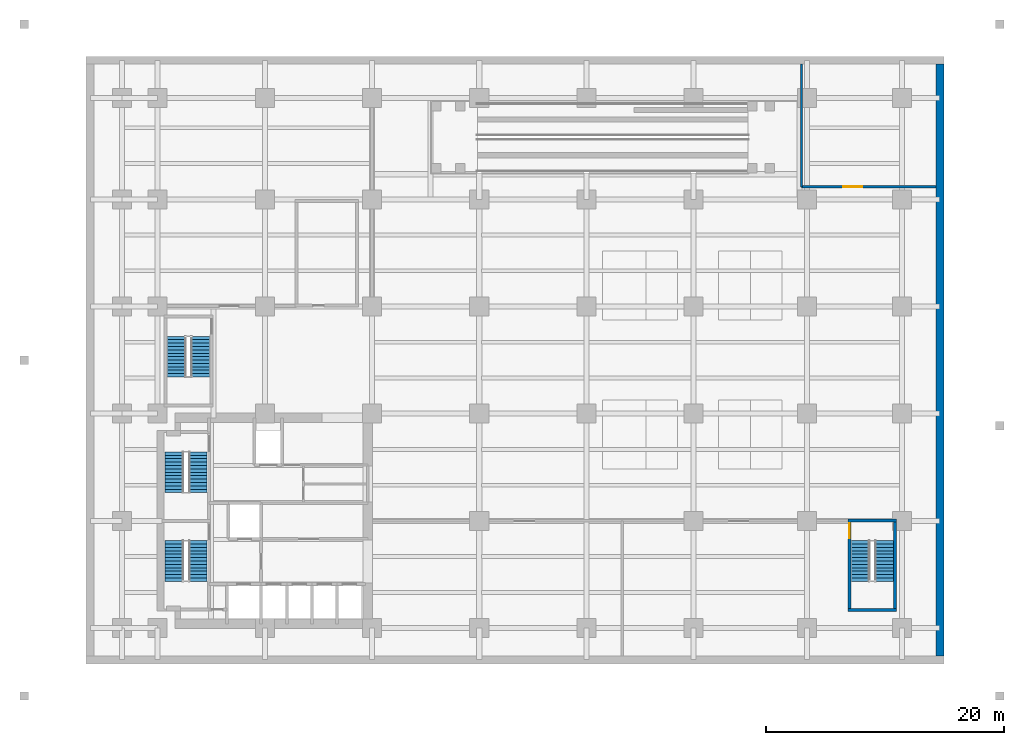
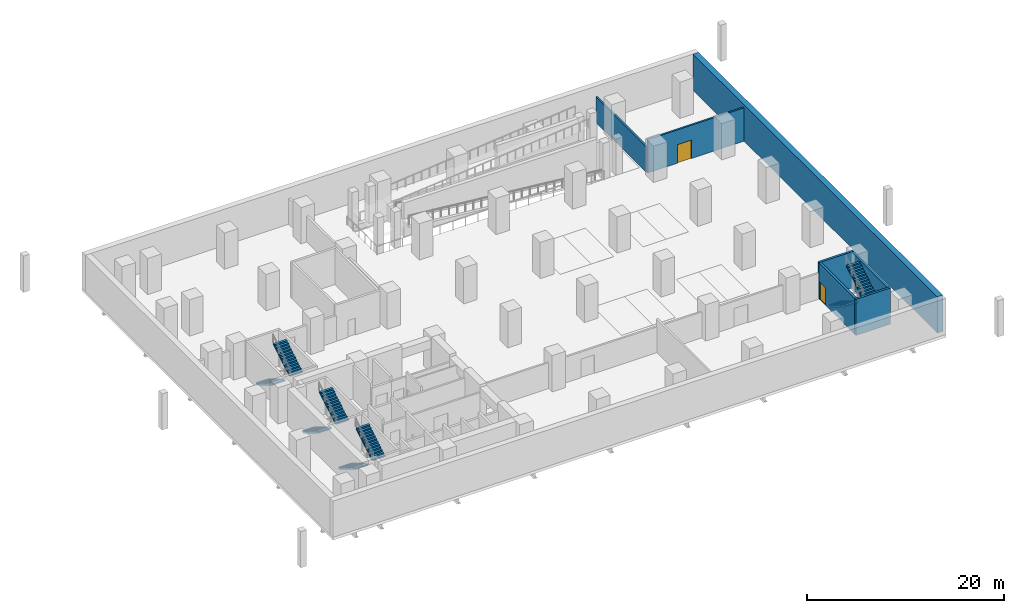
# One storey, part 8 of 10: 8 stair flights, 7 walls, 2 doors, 2 openings, 4 elements without a shape of their own.
"""IFC4 building model written with IfcOpenShell, lengths in metres."""

from ifc_helpers import new_model, si_unit, direction, frame, frame_2d, origin, place, context, subcontext, project, spatial, polyline, rectangle, outline, extrude, material, layer, layer_set, type_object, element, fill, aggregate, save


model = new_model("IFC4")

# Units and contexts
model_context = context("Model", 3, precision=1e-05, world=origin(), true_north=direction((0.0, 1.0)))
body_context = subcontext(model_context, "Body", "Model", "MODEL_VIEW")
ifc_project = project(units=[si_unit("LENGTHUNIT", "METRE"), si_unit("AREAUNIT", "SQUARE_METRE"), si_unit("VOLUMEUNIT", "CUBIC_METRE"), si_unit("PLANEANGLEUNIT", "RADIAN"), si_unit("MASSUNIT", "GRAM", prefix="KILO")], contexts=[model_context])

# Site, building, storey
site_placement = place(None, origin())
site = spatial("IfcSite", under=ifc_project, at=site_placement, CompositionType="ELEMENT")
building_placement = place(site_placement, origin())
building = spatial("IfcBuilding", under=site, at=building_placement, Name="Mawjdan Bourse Tower", CompositionType="ELEMENT")
storey_placement = place(building_placement, frame((0.0, 0.0, -9.0)))
storey = spatial("IfcBuildingStorey", under=building, at=storey_placement, Name="B02", CompositionType="ELEMENT", Elevation=-9.0)

# Wall, opening, door
ifc_material_1 = material(Name="Gypsum Fireboard Assembly")
ifc_layer_1 = layer(ifc_material_1, 0.199951171875)
ifc_layer_set_1 = layer_set([ifc_layer_1], Name="Gypsum Fireboard Assembly")
wall_type_1 = type_object("IfcWallType", Name="WL-CMP-200", PredefinedType="PARTITIONING", material=ifc_layer_set_1)
wall_1_placement = place(storey_placement, frame((60.050048828125, 40.050048828125, 0.0), z_axis=(0.0, 0.0, 1.0), x_axis=(1.0, 0.0, 0.0)))
wall_1 = element("IfcWall", 1, at=wall_1_placement, inside=storey, type_object=wall_type_1, Name="B02 Smoke Fan South Wall", PredefinedType="PARTITIONING", context=body_context, shape_type="SweptSolid", body=[
    extrude(rectangle(XDim=11.300048828125, YDim=0.199951171875, at=frame_2d((5.64990234375, 0.0))), origin(), (0.0, 0.0, 1.0), 4.139892578125),
])
opening_1_placement = place(wall_1_placement, frame((3.5, 0.0, 0.0)))
opening_1 = element("IfcOpeningElement", 2, at=opening_1_placement, cuts=wall_1, Name="Opening PD-B02-24", PredefinedType="OPENING", context=body_context, shape_type="SweptSolid", body=[
    extrude(rectangle(XDim=1.60009765625, YDim=2.300048828125, at=frame_2d((0.800048828125, 1.14990234375))), frame((0.0, 0.10986328125, 0.0), z_axis=(0.0, -1.0, 0.0), x_axis=(1.0, 0.0, 0.0)), (0.0, 0.0, 1.0), 0.219970703125),
])
ifc_material_2 = material(Name="Fire-Rated Acoustic Steel", Category="steel")
door_type_1 = type_object("IfcDoorType", Name="FD-PLT-1600", OperationType="DOUBLE_DOOR_SINGLE_SWING", PredefinedType="DOOR", material=ifc_material_2)
door_1_placement = place(opening_1_placement, origin())
door_1 = element("IfcDoor", 3, at=door_1_placement, inside=storey, type_object=door_type_1, Name="B02 Smoke Fan Room Door PD-B02-24", OperationType="DOUBLE_DOOR_SINGLE_SWING", OverallHeight=2.300048828125, OverallWidth=1.60009765625, PredefinedType="DOOR", context=body_context, shape_type="SweptSolid", body=[
    extrude(rectangle(XDim=1.60009765625, YDim=2.300048828125, at=frame_2d((0.800048828125, 1.14990234375))), frame((0.0, 0.02490234375, 0.0), z_axis=(0.0, -1.0, 0.0), x_axis=(1.0, 0.0, 0.0)), (0.0, 0.0, 1.0), 0.050048828125),
])
fill(opening_1, door_1)

# Walls
wall_2_placement = place(storey_placement, frame((60.050048828125, 40.050048828125, 0.0), z_axis=(0.0, 0.0, 1.0), x_axis=(0.0, 1.0, 0.0)))
element("IfcWall", 4, at=wall_2_placement, inside=storey, type_object=wall_type_1, Name="B02 Smoke Fan West Wall", PredefinedType="PARTITIONING", context=body_context, shape_type="SweptSolid", body=[
    extrude(rectangle(XDim=10.300048828125, YDim=0.199951171875, at=frame_2d((5.14990234375, 0.0))), origin(), (0.0, 0.0, 1.0), 3.199951171875),
])
ifc_material_3 = material(Name="Concrete C60/75", Category="concrete")
ifc_layer_2 = layer(ifc_material_3, 0.64990234375)
ifc_layer_set_2 = layer_set([ifc_layer_2], Name="Concrete C60/75")
wall_type_2 = type_object("IfcWallType", Name="WL-RET-650", PredefinedType="USERDEFINED", material=ifc_layer_set_2)
wall_3_placement = place(storey_placement, frame((71.675048828125, 0.64990234375, 0.0), z_axis=(0.0, 0.0, 1.0), x_axis=(0.0, 1.0, 0.0)))
element("IfcWall", 5, at=wall_3_placement, inside=storey, type_object=wall_type_2, Name="B02 Perimeter Diaphragm Retaining Wall E", ObjectType="RETAINING", PredefinedType="USERDEFINED", context=body_context, shape_type="SweptSolid", body=[
    extrude(rectangle(XDim=49.7001953125, YDim=0.64990234375, at=frame_2d((24.85009765625, 0.0))), origin(), (0.0, 0.0, 1.0), 4.5),
])
ifc_material_4 = material(Name="Concrete C50/60", Category="concrete")
ifc_layer_3 = layer(ifc_material_4, 0.25)
ifc_layer_set_3 = layer_set([ifc_layer_3], Name="Concrete C50/60")
wall_type_3 = type_object("IfcWallType", Name="WL-STRW-250", PredefinedType="SHEAR", material=ifc_layer_set_3)
for number, where, z_axis, x_axis, name in (
    (6, (63.955078125, 4.530029296875, 0.0), (0.0, 0.0, 1.0), (1.0, 0.0, 0.0), "B02 ST6 South Shaft Wall"),
    (7, (63.955078125, 12.030029296875, 0.0), (0.0, 0.0, 1.0), (1.0, 0.0, 0.0), "B02 ST6 North Shaft Wall"),
):
    element("IfcWall", number, at=place(storey_placement, frame(where, z_axis=z_axis, x_axis=x_axis)), inside=storey, type_object=wall_type_3, Name=name, PredefinedType="SHEAR", context=body_context, shape_type="SweptSolid", body=[
        extrude(rectangle(XDim=4.08984375, YDim=0.25, at=frame_2d((2.044921875, 0.0))), origin(), (0.0, 0.0, 1.0), 4.5),
    ])
wall_4_placement = place(storey_placement, frame((67.919921875, 4.530029296875, 0.0), z_axis=(0.0, 0.0, 1.0), x_axis=(0.0, 1.0, 0.0)))
element("IfcWall", 8, at=wall_4_placement, inside=storey, type_object=wall_type_3, Name="B02 ST6 East Shaft Wall", PredefinedType="SHEAR", context=body_context, shape_type="SweptSolid", body=[
    extrude(rectangle(XDim=7.5, YDim=0.25, at=frame_2d((3.75, 0.0))), origin(), (0.0, 0.0, 1.0), 4.5),
])

# Wall, opening, door
wall_5_placement = place(storey_placement, frame((64.080078125, 4.530029296875, 0.0), z_axis=(0.0, 0.0, 1.0), x_axis=(0.0, 1.0, 0.0)))
wall_5 = element("IfcWall", 9, at=wall_5_placement, inside=storey, type_object=wall_type_3, Name="B02 ST6 West Shaft Wall", PredefinedType="SHEAR", context=body_context, shape_type="SweptSolid", body=[
    extrude(rectangle(XDim=7.5, YDim=0.25, at=frame_2d((3.75, 0.0))), origin(), (0.0, 0.0, 1.0), 4.5),
])
opening_2_placement = place(wall_5_placement, frame((6.02001953125, 0.0, 0.0)))
opening_2 = element("IfcOpeningElement", 10, at=opening_2_placement, cuts=wall_5, Name="Opening SD-B02-19", PredefinedType="OPENING", context=body_context, shape_type="SweptSolid", body=[
    extrude(rectangle(XDim=1.25, YDim=2.199951171875, at=frame_2d((0.625, 1.10009765625))), frame((0.0, 0.135009765625, 0.0), z_axis=(0.0, -1.0, 0.0), x_axis=(1.0, 0.0, 0.0)), (0.0, 0.0, 1.0), 0.27001953125),
])
ifc_material_5 = material(Name="Fire-Rated Steel Leaf", Category="steel")
door_type_2 = type_object("IfcDoorType", Name="FD-ST-1250", OperationType="NOTDEFINED", PredefinedType="DOOR", material=ifc_material_5)
door_2_placement = place(opening_2_placement, frame((1.25, 0.0, 0.0), z_axis=(0.0, 0.0, 1.0), x_axis=(-1.0, 0.0, 0.0)))
door_2 = element("IfcDoor", 11, at=door_2_placement, inside=storey, type_object=door_type_2, Name="B02 Stair ST6 Fire Door SD-B02-19", OperationType="SINGLE_SWING_LEFT", OverallHeight=2.199951171875, OverallWidth=1.25, PredefinedType="DOOR", context=body_context, shape_type="SweptSolid", body=[
    extrude(rectangle(XDim=1.25, YDim=2.199951171875, at=frame_2d((0.625, 1.10009765625))), frame((0.0, 0.02490234375, 0.0), z_axis=(0.0, -1.0, 0.0), x_axis=(1.0, 0.0, 0.0)), (0.0, 0.0, 1.0), 0.050048828125),
])
fill(opening_2, door_2)

# Stair, stair flights
stair_type = type_object("IfcStairType", Name="STR-CORE-1500", PredefinedType="HALF_TURN_STAIR", material=ifc_material_4)
stair_1_placement = place(storey_placement, origin())
stair_1 = element("IfcStair", 12, at=stair_1_placement, inside=storey, type_object=stair_type, Name="B02 Exit Stair 1 (Core South-West)", PredefinedType="HALF_TURN_STAIR")
stair_flight_type = type_object("IfcStairFlightType", Name="SFL-RC-1500", PredefinedType="STRAIGHT", material=ifc_material_4)
stair_flight_1_placement = place(storey_placement, frame((7.389892578125, 10.35009765625, 0.0), z_axis=(0.0, 0.0, 1.0), x_axis=(0.0, -1.0, 0.0)))
stair_flight_1 = element("IfcStairFlight", 13, at=stair_flight_1_placement, type_object=stair_flight_type, Name="ST1-B02 flight 1", NumberOfRisers=13, NumberOfTreads=12, PredefinedType="STRAIGHT", RiserHeight=0.173077, TreadLength=0.285, context=body_context, shape_type="SweptSolid", body=[
    extrude(outline(polyline([(0.0, 0.0), (0.0, 0.173095703125), (0.284912109375, 0.173095703125), (0.284912109375, 0.34619140625), (0.570068359375, 0.34619140625), (0.570068359375, 0.519287109375), (0.85498046875, 0.519287109375), (0.85498046875, 0.6923828125), (1.139892578125, 0.6923828125), (1.139892578125, 0.865478515625), (1.425048828125, 0.865478515625), (1.425048828125, 1.03857421875), (1.7099609375, 1.03857421875), (1.7099609375, 1.21142578125), (1.9951171875, 1.21142578125), (1.9951171875, 1.384521484375), (2.280029296875, 1.384521484375), (2.280029296875, 1.5576171875), (2.56494140625, 1.5576171875), (2.56494140625, 1.730712890625), (2.85009765625, 1.730712890625), (2.85009765625, 1.90380859375), (3.135009765625, 1.90380859375), (3.135009765625, 2.076904296875), (3.419921875, 2.076904296875), (3.419921875, 2.25), (3.419921875, 1.889892578125), (0.30810546875, 0.0), (0.0, 0.0)])), frame((0.0, 0.75, 0.0), z_axis=(0.0, -1.0, 0.0), x_axis=(1.0, 0.0, 0.0)), (0.0, 0.0, 1.0), 1.5),
])
stair_flight_2_placement = place(storey_placement, frame((9.409912109375, 6.929931640625, 2.25), z_axis=(0.0, 0.0, 1.0), x_axis=(0.0, 1.0, 0.0)))
stair_flight_2 = element("IfcStairFlight", 14, at=stair_flight_2_placement, type_object=stair_flight_type, Name="ST1-B02 flight 2", NumberOfRisers=13, NumberOfTreads=12, PredefinedType="STRAIGHT", RiserHeight=0.173077, TreadLength=0.285, context=body_context, shape_type="SweptSolid", body=[
    extrude(outline(polyline([(0.0, 0.0), (0.0, 0.173095703125), (0.284912109375, 0.173095703125), (0.284912109375, 0.34619140625), (0.570068359375, 0.34619140625), (0.570068359375, 0.519287109375), (0.85498046875, 0.519287109375), (0.85498046875, 0.6923828125), (1.139892578125, 0.6923828125), (1.139892578125, 0.865478515625), (1.425048828125, 0.865478515625), (1.425048828125, 1.03857421875), (1.7099609375, 1.03857421875), (1.7099609375, 1.21142578125), (1.9951171875, 1.21142578125), (1.9951171875, 1.384521484375), (2.280029296875, 1.384521484375), (2.280029296875, 1.5576171875), (2.56494140625, 1.5576171875), (2.56494140625, 1.730712890625), (2.85009765625, 1.730712890625), (2.85009765625, 1.90380859375), (3.135009765625, 1.90380859375), (3.135009765625, 2.076904296875), (3.419921875, 2.076904296875), (3.419921875, 2.25), (3.419921875, 1.889892578125), (0.30810546875, 0.0), (0.0, 0.0)])), frame((0.0, 0.75, 0.0), z_axis=(0.0, -1.0, 0.0), x_axis=(1.0, 0.0, 0.0)), (0.0, 0.0, 1.0), 1.5),
])
aggregate(stair_1, [stair_flight_1, stair_flight_2])

stair_2_placement = place(storey_placement, origin())
stair_2 = element("IfcStair", 15, at=stair_2_placement, inside=storey, type_object=stair_type, Name="B02 Exit Stair 2 (Core North-West)", PredefinedType="HALF_TURN_STAIR")
stair_flight_3_placement = place(storey_placement, frame((7.389892578125, 17.7900390625, 0.0), z_axis=(0.0, 0.0, 1.0), x_axis=(0.0, -1.0, 0.0)))
stair_flight_3 = element("IfcStairFlight", 16, at=stair_flight_3_placement, type_object=stair_flight_type, Name="ST2-B02 flight 1", NumberOfRisers=13, NumberOfTreads=12, PredefinedType="STRAIGHT", RiserHeight=0.173077, TreadLength=0.285, context=body_context, shape_type="SweptSolid", body=[
    extrude(outline(polyline([(0.0, 0.0), (0.0, 0.173095703125), (0.284912109375, 0.173095703125), (0.284912109375, 0.34619140625), (0.570068359375, 0.34619140625), (0.570068359375, 0.519287109375), (0.85498046875, 0.519287109375), (0.85498046875, 0.6923828125), (1.139892578125, 0.6923828125), (1.139892578125, 0.865478515625), (1.425048828125, 0.865478515625), (1.425048828125, 1.03857421875), (1.7099609375, 1.03857421875), (1.7099609375, 1.21142578125), (1.9951171875, 1.21142578125), (1.9951171875, 1.384521484375), (2.280029296875, 1.384521484375), (2.280029296875, 1.5576171875), (2.56494140625, 1.5576171875), (2.56494140625, 1.730712890625), (2.85009765625, 1.730712890625), (2.85009765625, 1.90380859375), (3.135009765625, 1.90380859375), (3.135009765625, 2.076904296875), (3.419921875, 2.076904296875), (3.419921875, 2.25), (3.419921875, 1.889892578125), (0.30810546875, 0.0), (0.0, 0.0)])), frame((0.0, 0.75, 0.0), z_axis=(0.0, -1.0, 0.0), x_axis=(1.0, 0.0, 0.0)), (0.0, 0.0, 1.0), 1.5),
])
stair_flight_4_placement = place(storey_placement, frame((9.409912109375, 14.3701171875, 2.25), z_axis=(0.0, 0.0, 1.0), x_axis=(0.0, 1.0, 0.0)))
stair_flight_4 = element("IfcStairFlight", 17, at=stair_flight_4_placement, type_object=stair_flight_type, Name="ST2-B02 flight 2", NumberOfRisers=13, NumberOfTreads=12, PredefinedType="STRAIGHT", RiserHeight=0.173077, TreadLength=0.285, context=body_context, shape_type="SweptSolid", body=[
    extrude(outline(polyline([(0.0, 0.0), (0.0, 0.173095703125), (0.284912109375, 0.173095703125), (0.284912109375, 0.34619140625), (0.570068359375, 0.34619140625), (0.570068359375, 0.519287109375), (0.85498046875, 0.519287109375), (0.85498046875, 0.6923828125), (1.139892578125, 0.6923828125), (1.139892578125, 0.865478515625), (1.425048828125, 0.865478515625), (1.425048828125, 1.03857421875), (1.7099609375, 1.03857421875), (1.7099609375, 1.21142578125), (1.9951171875, 1.21142578125), (1.9951171875, 1.384521484375), (2.280029296875, 1.384521484375), (2.280029296875, 1.5576171875), (2.56494140625, 1.5576171875), (2.56494140625, 1.730712890625), (2.85009765625, 1.730712890625), (2.85009765625, 1.90380859375), (3.135009765625, 1.90380859375), (3.135009765625, 2.076904296875), (3.419921875, 2.076904296875), (3.419921875, 2.25), (3.419921875, 1.889892578125), (0.30810546875, 0.0), (0.0, 0.0)])), frame((0.0, 0.75, 0.0), z_axis=(0.0, -1.0, 0.0), x_axis=(1.0, 0.0, 0.0)), (0.0, 0.0, 1.0), 1.5),
])
aggregate(stair_2, [stair_flight_3, stair_flight_4])

stair_3_placement = place(storey_placement, origin())
stair_3 = element("IfcStair", 18, at=stair_3_placement, inside=storey, type_object=stair_type, Name="B02 Exit Stair 3 (North Wing)", PredefinedType="HALF_TURN_STAIR")
stair_flight_5_placement = place(storey_placement, frame((7.590087890625, 27.5, 0.0), z_axis=(0.0, 0.0, 1.0), x_axis=(0.0, -1.0, 0.0)))
stair_flight_5 = element("IfcStairFlight", 19, at=stair_flight_5_placement, type_object=stair_flight_type, Name="ST3-B02 flight 1", NumberOfRisers=13, NumberOfTreads=12, PredefinedType="STRAIGHT", RiserHeight=0.173077, TreadLength=0.285, context=body_context, shape_type="SweptSolid", body=[
    extrude(outline(polyline([(0.0, 0.0), (0.0, 0.173095703125), (0.284912109375, 0.173095703125), (0.284912109375, 0.34619140625), (0.570068359375, 0.34619140625), (0.570068359375, 0.519287109375), (0.85498046875, 0.519287109375), (0.85498046875, 0.6923828125), (1.139892578125, 0.6923828125), (1.139892578125, 0.865478515625), (1.425048828125, 0.865478515625), (1.425048828125, 1.03857421875), (1.7099609375, 1.03857421875), (1.7099609375, 1.21142578125), (1.9951171875, 1.21142578125), (1.9951171875, 1.384521484375), (2.280029296875, 1.384521484375), (2.280029296875, 1.5576171875), (2.56494140625, 1.5576171875), (2.56494140625, 1.730712890625), (2.85009765625, 1.730712890625), (2.85009765625, 1.90380859375), (3.135009765625, 1.90380859375), (3.135009765625, 2.076904296875), (3.419921875, 2.076904296875), (3.419921875, 2.25), (3.419921875, 1.889892578125), (0.30810546875, 0.0), (0.0, 0.0)])), frame((0.0, 0.75, 0.0), z_axis=(0.0, -1.0, 0.0), x_axis=(1.0, 0.0, 0.0)), (0.0, 0.0, 1.0), 1.5),
])
stair_flight_6_placement = place(storey_placement, frame((9.610107421875, 24.080078125, 2.25), z_axis=(0.0, 0.0, 1.0), x_axis=(0.0, 1.0, 0.0)))
stair_flight_6 = element("IfcStairFlight", 20, at=stair_flight_6_placement, type_object=stair_flight_type, Name="ST3-B02 flight 2", NumberOfRisers=13, NumberOfTreads=12, PredefinedType="STRAIGHT", RiserHeight=0.173077, TreadLength=0.285, context=body_context, shape_type="SweptSolid", body=[
    extrude(outline(polyline([(0.0, 0.0), (0.0, 0.173095703125), (0.284912109375, 0.173095703125), (0.284912109375, 0.34619140625), (0.570068359375, 0.34619140625), (0.570068359375, 0.519287109375), (0.85498046875, 0.519287109375), (0.85498046875, 0.6923828125), (1.139892578125, 0.6923828125), (1.139892578125, 0.865478515625), (1.425048828125, 0.865478515625), (1.425048828125, 1.03857421875), (1.7099609375, 1.03857421875), (1.7099609375, 1.21142578125), (1.9951171875, 1.21142578125), (1.9951171875, 1.384521484375), (2.280029296875, 1.384521484375), (2.280029296875, 1.5576171875), (2.56494140625, 1.5576171875), (2.56494140625, 1.730712890625), (2.85009765625, 1.730712890625), (2.85009765625, 1.90380859375), (3.135009765625, 1.90380859375), (3.135009765625, 2.076904296875), (3.419921875, 2.076904296875), (3.419921875, 2.25), (3.419921875, 1.889892578125), (0.30810546875, 0.0), (0.0, 0.0)])), frame((0.0, 0.75, 0.0), z_axis=(0.0, -1.0, 0.0), x_axis=(1.0, 0.0, 0.0)), (0.0, 0.0, 1.0), 1.5),
])
aggregate(stair_3, [stair_flight_5, stair_flight_6])

stair_4_placement = place(storey_placement, origin())
stair_4 = element("IfcStair", 21, at=stair_4_placement, inside=storey, type_object=stair_type, Name="B02 Exit Stair 6 (East Podium Pier)", PredefinedType="HALF_TURN_STAIR")
stair_flight_7_placement = place(storey_placement, frame((64.989990234375, 10.35009765625, 0.0), z_axis=(0.0, 0.0, 1.0), x_axis=(0.0, -1.0, 0.0)))
stair_flight_7 = element("IfcStairFlight", 22, at=stair_flight_7_placement, type_object=stair_flight_type, Name="ST6-B02 flight 1", NumberOfRisers=13, NumberOfTreads=12, PredefinedType="STRAIGHT", RiserHeight=0.173077, TreadLength=0.285, context=body_context, shape_type="SweptSolid", body=[
    extrude(outline(polyline([(0.0, 0.0), (0.0, 0.173095703125), (0.284912109375, 0.173095703125), (0.284912109375, 0.34619140625), (0.570068359375, 0.34619140625), (0.570068359375, 0.519287109375), (0.85498046875, 0.519287109375), (0.85498046875, 0.6923828125), (1.139892578125, 0.6923828125), (1.139892578125, 0.865478515625), (1.425048828125, 0.865478515625), (1.425048828125, 1.03857421875), (1.7099609375, 1.03857421875), (1.7099609375, 1.21142578125), (1.9951171875, 1.21142578125), (1.9951171875, 1.384521484375), (2.280029296875, 1.384521484375), (2.280029296875, 1.5576171875), (2.56494140625, 1.5576171875), (2.56494140625, 1.730712890625), (2.85009765625, 1.730712890625), (2.85009765625, 1.90380859375), (3.135009765625, 1.90380859375), (3.135009765625, 2.076904296875), (3.419921875, 2.076904296875), (3.419921875, 2.25), (3.419921875, 1.889892578125), (0.30810546875, 0.0), (0.0, 0.0)])), frame((0.0, 0.75, 0.0), z_axis=(0.0, -1.0, 0.0), x_axis=(1.0, 0.0, 0.0)), (0.0, 0.0, 1.0), 1.5),
])
stair_flight_8_placement = place(storey_placement, frame((67.010009765625, 6.929931640625, 2.25), z_axis=(0.0, 0.0, 1.0), x_axis=(0.0, 1.0, 0.0)))
stair_flight_8 = element("IfcStairFlight", 23, at=stair_flight_8_placement, type_object=stair_flight_type, Name="ST6-B02 flight 2", NumberOfRisers=13, NumberOfTreads=12, PredefinedType="STRAIGHT", RiserHeight=0.173077, TreadLength=0.285, context=body_context, shape_type="SweptSolid", body=[
    extrude(outline(polyline([(0.0, 0.0), (0.0, 0.173095703125), (0.284912109375, 0.173095703125), (0.284912109375, 0.34619140625), (0.570068359375, 0.34619140625), (0.570068359375, 0.519287109375), (0.85498046875, 0.519287109375), (0.85498046875, 0.6923828125), (1.139892578125, 0.6923828125), (1.139892578125, 0.865478515625), (1.425048828125, 0.865478515625), (1.425048828125, 1.03857421875), (1.7099609375, 1.03857421875), (1.7099609375, 1.21142578125), (1.9951171875, 1.21142578125), (1.9951171875, 1.384521484375), (2.280029296875, 1.384521484375), (2.280029296875, 1.5576171875), (2.56494140625, 1.5576171875), (2.56494140625, 1.730712890625), (2.85009765625, 1.730712890625), (2.85009765625, 1.90380859375), (3.135009765625, 1.90380859375), (3.135009765625, 2.076904296875), (3.419921875, 2.076904296875), (3.419921875, 2.25), (3.419921875, 1.889892578125), (0.30810546875, 0.0), (0.0, 0.0)])), frame((0.0, 0.75, 0.0), z_axis=(0.0, -1.0, 0.0), x_axis=(1.0, 0.0, 0.0)), (0.0, 0.0, 1.0), 1.5),
])
aggregate(stair_4, [stair_flight_7, stair_flight_8])

save(model, "model.ifc")
